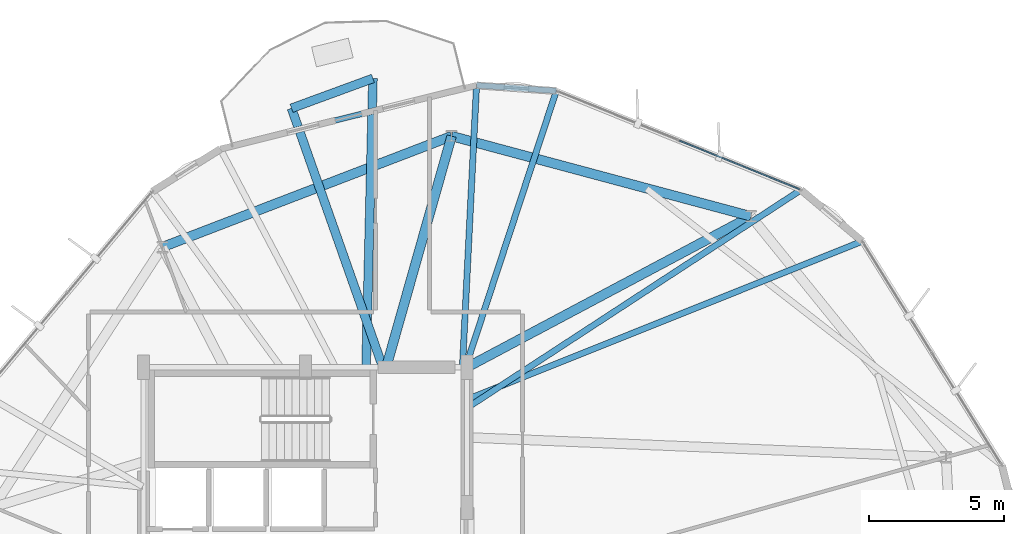
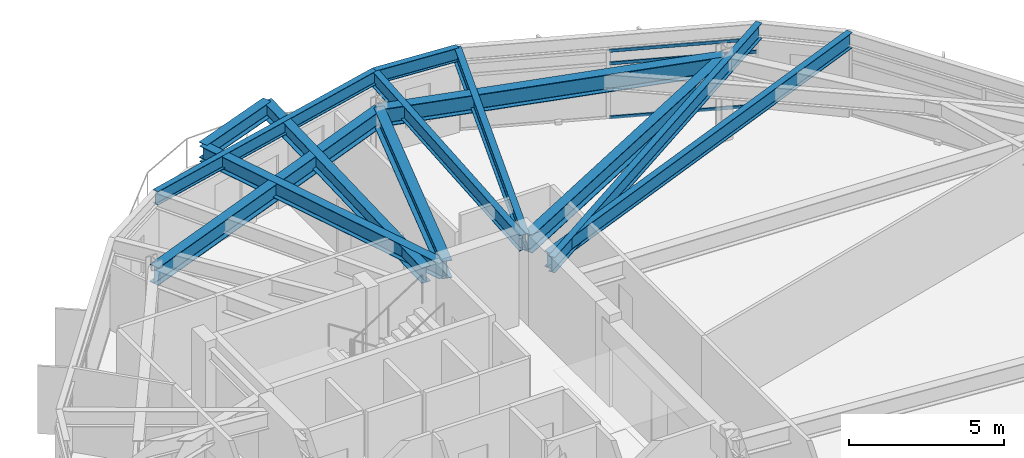
# One storey, part 13 of 23: 13 beams, 3 members, 1 element without a shape of its own.
"""IFC4 building model written with IfcOpenShell, lengths in metres."""

from ifc_helpers import new_model, si_unit, direction, frame, origin, origin_2d, place, context, subcontext, project, spatial, hollow_rectangle, i_section, extrude, material, layer, layer_set, material_profile, profile_set, type_object, element, aggregate, save


model = new_model("IFC4")

# Units and contexts
model_context = context("Model", 3, precision=1e-05, world=origin(), true_north=direction((0.0, 1.0)))
body_context = subcontext(model_context, "Body", "Model", "MODEL_VIEW")
ifc_project = project(units=[si_unit("LENGTHUNIT", "METRE"), si_unit("AREAUNIT", "SQUARE_METRE"), si_unit("VOLUMEUNIT", "CUBIC_METRE"), si_unit("PLANEANGLEUNIT", "RADIAN"), si_unit("MASSUNIT", "GRAM", prefix="KILO")], contexts=[model_context])

# Site, building, storey
site_placement = place(None, origin())
site = spatial("IfcSite", under=ifc_project, at=site_placement, CompositionType="ELEMENT")
building_placement = place(site_placement, origin())
building = spatial("IfcBuilding", under=site, at=building_placement, Name="Soratama Intermodal Tower", CompositionType="ELEMENT")
storey_placement = place(building_placement, frame((0.0, 0.0, 215.800048828125)))
storey = spatial("IfcBuildingStorey", under=building, at=storey_placement, Name="L54", CompositionType="ELEMENT", Elevation=215.800048828125)

# Beams
ifc_material_1 = material(Name="Structural steel ASTM A992 Grade 50", Category="steel")
ifc_material_profile_1 = material_profile(ifc_material_1, i_section(OverallWidth=0.324951171875, OverallDepth=0.615966796875, WebThickness=0.013916015625, FlangeThickness=0.021484375, FilletRadius=0.013916015625, at=origin_2d()), Name="W24X117")
ifc_profile_set_1 = profile_set([ifc_material_profile_1], Name="Structural steel ASTM A992 Grade 50")
beam_type_1 = type_object("IfcBeamType", Name="BM-CANT-W24X117", PredefinedType="BEAM", material=ifc_profile_set_1)
beam_1_placement = place(storey_placement, frame((41.10791015625, 45.714111328125, 2.991943359375), z_axis=(-0.938794524338, -0.344477635083, 0.0), x_axis=(0.344477635083, -0.938794524338, 0.0)))
element("IfcBeam", 1, at=beam_1_placement, inside=storey, type_object=beam_type_1, Name="BM-L54-CBHDR-1", PredefinedType="BEAM", context=body_context, shape_type="SweptSolid", body=[
    extrude(i_section(OverallWidth=0.324951171875, OverallDepth=0.615966796875, WebThickness=0.013916015625, FlangeThickness=0.021484375, FilletRadius=0.013916015625, at=origin_2d()), origin(), (0.0, 0.0, 1.0), 3.216796875),
])
beam_2_placement = place(storey_placement, frame((40.85498046875, 35.0400390625, 2.991943359375), z_axis=(0.023689057259, 0.999719374908, 0.0), x_axis=(-0.999719374908, 0.023689057259, 0.0)))
element("IfcBeam", 2, at=beam_2_placement, inside=storey, type_object=beam_type_1, Name="BM-L54-CANT-1-1", PredefinedType="BEAM", context=body_context, shape_type="SweptSolid", body=[
    extrude(i_section(OverallWidth=0.324951171875, OverallDepth=0.615966796875, WebThickness=0.013916015625, FlangeThickness=0.021484375, FilletRadius=0.013916015625, at=origin_2d()), origin(), (0.0, 0.0, 1.0), 10.677001953125),
])
beam_3_placement = place(storey_placement, frame((41.4619140625, 35.0380859375, 2.991943359375), z_axis=(-0.332568356479, 0.943079152706, 0.0), x_axis=(-0.943079152706, -0.332568356479, 0.0)))
element("IfcBeam", 3, at=beam_3_placement, inside=storey, type_object=beam_type_1, Name="BM-L54-CANT-1-2", PredefinedType="BEAM", context=body_context, shape_type="SweptSolid", body=[
    extrude(i_section(OverallWidth=0.324951171875, OverallDepth=0.615966796875, WebThickness=0.013916015625, FlangeThickness=0.021484375, FilletRadius=0.013916015625, at=origin_2d()), origin(), (0.0, 0.0, 1.0), 10.145263671875),
])
ifc_material_2 = material(Name="Structural steel ASTM A992 Grade 50", Category="steel")
ifc_material_profile_2 = material_profile(ifc_material_2, i_section(OverallWidth=0.35498046875, OverallDepth=0.695068359375, WebThickness=0.015380859375, FlangeThickness=0.02490234375, FilletRadius=0.01611328125, at=origin_2d()), Name="W27X146")
ifc_profile_set_2 = profile_set([ifc_material_profile_2], Name="Structural steel ASTM A992 Grade 50")
beam_type_2 = type_object("IfcBeamType", Name="BM-RING-W27X146", PredefinedType="BEAM", material=ifc_profile_set_2)
beam_4_placement = place(storey_placement, frame((55.1298828125, 40.59912109375, 2.952392578125), z_axis=(-0.965907374298, 0.258887899055, 0.0), x_axis=(-0.258887899055, -0.965907374298, 0.0)))
element("IfcBeam", 4, at=beam_4_placement, inside=storey, type_object=beam_type_2, Name="BM-L54-RING-02", PredefinedType="BEAM", context=body_context, shape_type="SweptSolid", body=[
    extrude(i_section(OverallWidth=0.35498046875, OverallDepth=0.695068359375, WebThickness=0.015380859375, FlangeThickness=0.02490234375, FilletRadius=0.01611328125, at=origin_2d()), origin(), (0.0, 0.0, 1.0), 11.49462890625),
])
beam_5_placement = place(storey_placement, frame((44.027099609375, 43.574951171875, 2.952392578125), z_axis=(-0.933575304305, -0.358381293026, 0.0), x_axis=(0.358381293026, -0.933575304305, 0.0)))
element("IfcBeam", 5, at=beam_5_placement, inside=storey, type_object=beam_type_2, Name="BM-L54-RING-03", PredefinedType="BEAM", context=body_context, shape_type="SweptSolid", body=[
    extrude(i_section(OverallWidth=0.35498046875, OverallDepth=0.695068359375, WebThickness=0.015380859375, FlangeThickness=0.02490234375, FilletRadius=0.01611328125, at=origin_2d()), origin(), (0.0, 0.0, 1.0), 11.495849609375),
])
beam_6_placement = place(storey_placement, frame((44.60009765625, 35.0, 2.952392578125), z_axis=(0.882935948236, 0.469493462482, 0.0), x_axis=(-0.469493462482, 0.882935948236, 0.0)))
element("IfcBeam", 6, at=beam_6_placement, inside=storey, type_object=beam_type_2, Name="BM-L54-RAD-02", PredefinedType="BEAM", context=body_context, shape_type="SweptSolid", body=[
    extrude(i_section(OverallWidth=0.35498046875, OverallDepth=0.695068359375, WebThickness=0.015380859375, FlangeThickness=0.02490234375, FilletRadius=0.01611328125, at=origin_2d()), origin(), (0.0, 0.0, 1.0), 11.92578125),
])
beam_7_placement = place(storey_placement, frame((41.60009765625, 35.0, 2.952392578125), z_axis=(0.272335865412, 0.96220225338, 0.0), x_axis=(-0.96220225338, 0.272335865412, 0.0)))
element("IfcBeam", 7, at=beam_7_placement, inside=storey, type_object=beam_type_2, Name="BM-L54-RAD-03", PredefinedType="BEAM", context=body_context, shape_type="SweptSolid", body=[
    extrude(i_section(OverallWidth=0.35498046875, OverallDepth=0.695068359375, WebThickness=0.015380859375, FlangeThickness=0.02490234375, FilletRadius=0.01611328125, at=origin_2d()), origin(), (0.0, 0.0, 1.0), 8.911865234375),
])
ifc_material_3 = material(Name="Structural steel ASTM A992 Grade 50", Category="steel")
ifc_material_profile_3 = material_profile(ifc_material_3, i_section(OverallWidth=0.2099609375, OverallDepth=0.537109375, WebThickness=0.010986328125, FlangeThickness=0.017333984375, FilletRadius=0.012939453125, at=origin_2d()), Name="W21X68")
ifc_profile_set_3 = profile_set([ifc_material_profile_3], Name="Structural steel ASTM A992 Grade 50")
beam_type_3 = type_object("IfcBeamType", Name="BM-SPN-W21X68", PredefinedType="SPANDREL", material=ifc_profile_set_3)
beam_8_placement = place(storey_placement, frame((47.909912109375, 45.251953125, 3.031494140625), z_axis=(-0.997538283806, 0.070123978367, 0.0), x_axis=(-0.070123978367, -0.997538283806, 0.0)))
element("IfcBeam", 8, at=beam_8_placement, inside=storey, type_object=beam_type_3, Name="BS-L54-CRN01", PredefinedType="SPANDREL", context=body_context, shape_type="SweptSolid", body=[
    extrude(i_section(OverallWidth=0.2099609375, OverallDepth=0.537109375, WebThickness=0.010986328125, FlangeThickness=0.017333984375, FilletRadius=0.012939453125, at=origin_2d()), origin(), (0.0, 0.0, 1.0), 2.96630859375),
])
beam_9_placement = place(storey_placement, frame((44.950927734375, 45.4599609375, 3.031494140625), z_axis=(-0.970388420439, -0.241549815726, 0.0), x_axis=(0.241549815726, -0.970388420439, 0.0)))
element("IfcBeam", 9, at=beam_9_placement, inside=storey, type_object=beam_type_3, Name="BS-L54-F02", PredefinedType="SPANDREL", context=body_context, shape_type="SweptSolid", body=[
    extrude(i_section(OverallWidth=0.2099609375, OverallDepth=0.537109375, WebThickness=0.010986328125, FlangeThickness=0.017333984375, FilletRadius=0.012939453125, at=origin_2d()), origin(), (0.0, 0.0, 1.0), 9.791015625),
])
ifc_material_4 = material(Name="Structural steel ASTM A992 Grade 50", Category="steel")
ifc_material_profile_4 = material_profile(ifc_material_4, i_section(OverallWidth=0.22900390625, OverallDepth=0.612060546875, WebThickness=0.011962890625, FlangeThickness=0.01953125, FilletRadius=0.012939453125, at=origin_2d()), Name="W24X84")
ifc_profile_set_4 = profile_set([ifc_material_profile_4], Name="Structural steel ASTM A992 Grade 50")
beam_type_4 = type_object("IfcBeamType", Name="BM-TIE-W24X84", PredefinedType="BEAM", material=ifc_profile_set_4)
beam_10_placement = place(storey_placement, frame((44.633056640625, 33.51708984375, 2.993896484375), z_axis=(0.837373468905, 0.546631204355, 0.0), x_axis=(-0.546631204355, 0.837373468905, 0.0)))
element("IfcBeam", 10, at=beam_10_placement, inside=storey, type_object=beam_type_4, Name="BM-L54-TIE0-01", PredefinedType="BEAM", context=body_context, shape_type="SweptSolid", body=[
    extrude(i_section(OverallWidth=0.22900390625, OverallDepth=0.612060546875, WebThickness=0.011962890625, FlangeThickness=0.01953125, FilletRadius=0.012939453125, at=origin_2d()), origin(), (0.0, 0.0, 1.0), 14.752197265625),
])
beam_11_placement = place(storey_placement, frame((44.555908203125, 35.0380859375, 2.993896484375), z_axis=(0.311986966103, 0.950086381853, 0.0), x_axis=(-0.950086381853, 0.311986966103, 0.0)))
element("IfcBeam", 11, at=beam_11_placement, inside=storey, type_object=beam_type_4, Name="BM-L54-TIE1-01", PredefinedType="BEAM", context=body_context, shape_type="SweptSolid", body=[
    extrude(i_section(OverallWidth=0.22900390625, OverallDepth=0.612060546875, WebThickness=0.011962890625, FlangeThickness=0.01953125, FilletRadius=0.012939453125, at=origin_2d()), origin(), (0.0, 0.0, 1.0), 10.75048828125),
])
beam_12_placement = place(storey_placement, frame((44.429931640625, 35.0400390625, 2.993896484375), z_axis=(0.049937616944, 0.998752338878, 0.0), x_axis=(-0.998752338878, 0.049937616944, 0.0)))
element("IfcBeam", 12, at=beam_12_placement, inside=storey, type_object=beam_type_4, Name="BM-L54-TIE0-02", PredefinedType="BEAM", context=body_context, shape_type="SweptSolid", body=[
    extrude(i_section(OverallWidth=0.22900390625, OverallDepth=0.612060546875, WebThickness=0.011962890625, FlangeThickness=0.01953125, FilletRadius=0.012939453125, at=origin_2d()), origin(), (0.0, 0.0, 1.0), 10.432861328125),
])
beam_13_placement = place(storey_placement, frame((44.636962890625, 33.819091796875, 2.993896484375), z_axis=(0.928333369733, 0.371748778936, 0.0), x_axis=(-0.371748778936, 0.928333369733, 0.0)))
element("IfcBeam", 13, at=beam_13_placement, inside=storey, type_object=beam_type_4, Name="BM-L54-TIE1-10", PredefinedType="BEAM", context=body_context, shape_type="SweptSolid", body=[
    extrude(i_section(OverallWidth=0.22900390625, OverallDepth=0.612060546875, WebThickness=0.011962890625, FlangeThickness=0.01953125, FilletRadius=0.012939453125, at=origin_2d()), origin(), (0.0, 0.0, 1.0), 15.749755859375),
])

# Curtain wall, members
ifc_material_5 = material(Name="Double-glazed aluminium curtain wall", Category="aluminium")
ifc_layer = layer(ifc_material_5, 0.159912109375)
ifc_layer_set = layer_set([ifc_layer], Name="Double-glazed aluminium curtain wall")
curtain_wall_type = type_object("IfcCurtainWallType", Name="CW-SYS-5", PredefinedType="NOTDEFINED", material=ifc_layer_set)
curtain_wall_placement = place(storey_placement, origin())
curtain_wall = element("IfcCurtainWall", 14, at=curtain_wall_placement, inside=storey, type_object=curtain_wall_type, Name="L54 Faceted Curtain Wall F01", PredefinedType="NOTDEFINED")
ifc_material_6 = material(Name="Anodised aluminium AA 6063-T6", Category="aluminium")
ifc_material_profile_5 = material_profile(ifc_material_6, hollow_rectangle(XDim=0.06005859375, YDim=0.1298828125, WallThickness=0.0048828125, InnerFilletRadius=0.0048828125, OuterFilletRadius=0.010009765625, at=origin_2d()), Name="CWT130X60X5")
ifc_profile_set_5 = profile_set([ifc_material_profile_5], Name="Anodised aluminium AA 6063-T6")
member_type = type_object("IfcMemberType", Name="TT-CWT-2", PredefinedType="USERDEFINED", material=ifc_profile_set_5)
member_1_placement = place(storey_placement, frame((56.930908203125, 41.60400390625, 0.030029296875), z_axis=(-0.927064985588, 0.374900670173, 0.0), x_axis=(-0.374900670173, -0.927064985588, 0.0)))
member_1 = element("IfcMember", 15, at=member_1_placement, type_object=member_type, Name="CW-5 transom 1.1", ObjectType="TRANSOM", PredefinedType="USERDEFINED", context=body_context, shape_type="SweptSolid", body=[
    extrude(hollow_rectangle(XDim=0.06005859375, YDim=0.1298828125, WallThickness=0.0048828125, InnerFilletRadius=0.0048828125, OuterFilletRadius=0.010009765625, at=origin_2d()), origin(), (0.0, 0.0, 1.0), 4.805419921875),
])
member_2_placement = place(storey_placement, frame((56.930908203125, 41.60400390625, 2.14990234375), z_axis=(-0.927064985588, 0.374900670173, 0.0), x_axis=(-0.374900670173, -0.927064985588, 0.0)))
member_2 = element("IfcMember", 16, at=member_2_placement, type_object=member_type, Name="CW-5 transom 1.2", ObjectType="TRANSOM", PredefinedType="USERDEFINED", context=body_context, shape_type="SweptSolid", body=[
    extrude(hollow_rectangle(XDim=0.06005859375, YDim=0.1298828125, WallThickness=0.0048828125, InnerFilletRadius=0.0048828125, OuterFilletRadius=0.010009765625, at=origin_2d()), origin(), (0.0, 0.0, 1.0), 4.805419921875),
])
member_3_placement = place(storey_placement, frame((56.930908203125, 41.60400390625, 2.64892578125), z_axis=(-0.927064985588, 0.374900670173, 0.0), x_axis=(-0.374900670173, -0.927064985588, 0.0)))
member_3 = element("IfcMember", 17, at=member_3_placement, type_object=member_type, Name="CW-5 transom 1.3", ObjectType="TRANSOM", PredefinedType="USERDEFINED", context=body_context, shape_type="SweptSolid", body=[
    extrude(hollow_rectangle(XDim=0.06005859375, YDim=0.1298828125, WallThickness=0.0048828125, InnerFilletRadius=0.0048828125, OuterFilletRadius=0.010009765625, at=origin_2d()), origin(), (0.0, 0.0, 1.0), 4.805419921875),
])
aggregate(curtain_wall, [member_1, member_2, member_3])

save(model, "model.ifc")
